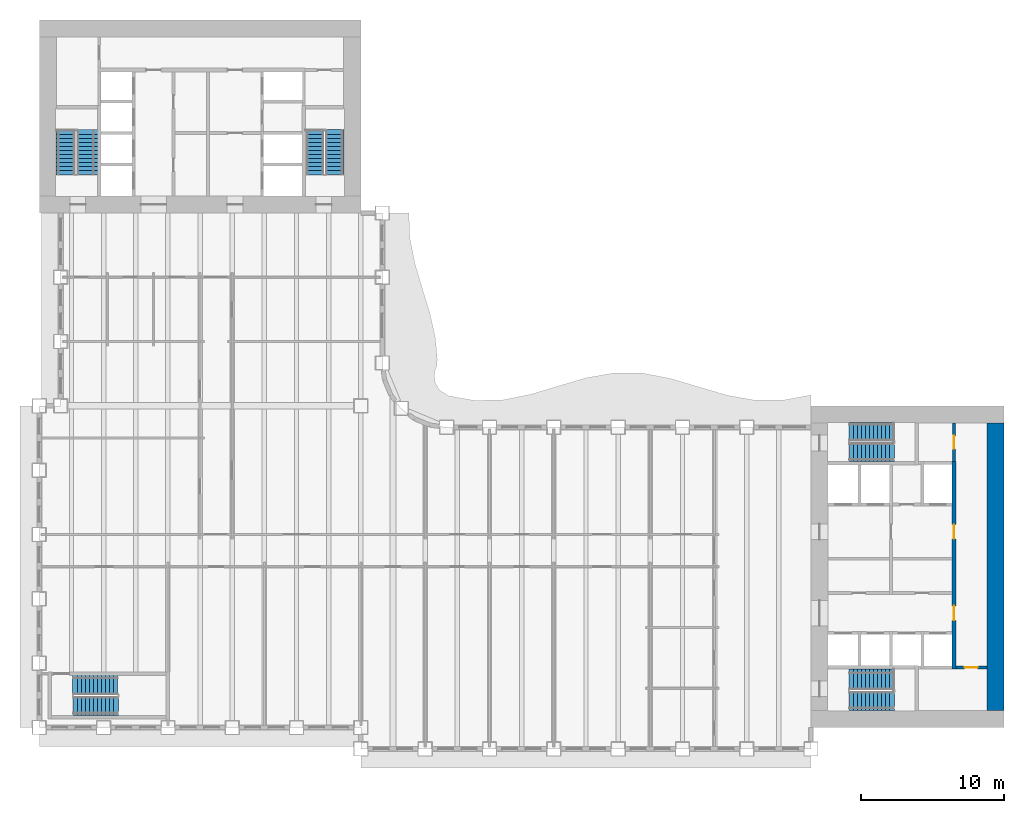
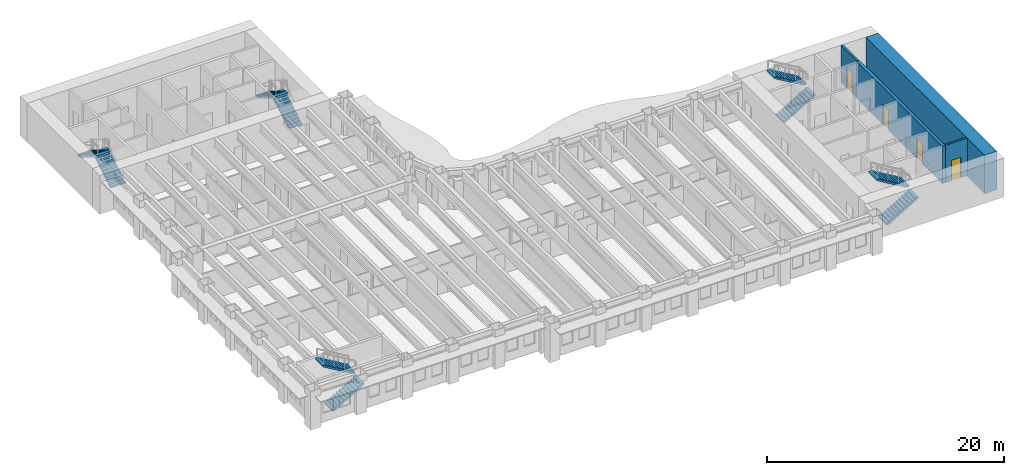
# One storey, part 10 of 16: 10 stair flights, 4 doors, 4 walls, 4 openings, 5 elements without a shape of their own.
"""IFC4 building model written with IfcOpenShell, lengths in metres."""

from ifc_helpers import new_model, si_unit, direction, frame, frame_2d, origin, place, context, subcontext, project, spatial, polyline, rectangle, outline, extrude, material, layer, layer_set, type_object, element, fill, aggregate, save


model = new_model("IFC4")

# Units and contexts
model_context = context("Model", 3, precision=1e-05, world=origin(), true_north=direction((0.0, 1.0)))
body_context = subcontext(model_context, "Body", "Model", "MODEL_VIEW")
ifc_project = project(units=[si_unit("LENGTHUNIT", "METRE"), si_unit("AREAUNIT", "SQUARE_METRE"), si_unit("VOLUMEUNIT", "CUBIC_METRE"), si_unit("PLANEANGLEUNIT", "RADIAN"), si_unit("MASSUNIT", "GRAM", prefix="KILO")], contexts=[model_context])

# Site, building, storey
site_placement = place(None, origin())
site = spatial("IfcSite", under=ifc_project, at=site_placement, CompositionType="ELEMENT")
building_placement = place(site_placement, origin())
building = spatial("IfcBuilding", under=site, at=building_placement, Name="Sennacour Bend Tower", CompositionType="ELEMENT")
storey_placement = place(building_placement, frame((0.0, 0.0, 83.0)))
storey = spatial("IfcBuildingStorey", under=building, at=storey_placement, Name="L18", CompositionType="ELEMENT", Elevation=83.0)

# Wall
ifc_material_1 = material(Name="Concrete C80/95", Category="concrete")
ifc_layer_1 = layer(ifc_material_1, 1.199951171875, Name="Concrete C80/95", Category="concrete")
ifc_layer_set_1 = layer_set([ifc_layer_1], Name="Concrete C80/95")
wall_type_1 = type_object("IfcWallType", Name="Core wall 1200 C80/95", PredefinedType="SHEAR", material=ifc_layer_set_1)
wall_1_placement = place(storey_placement, frame((66.89990234375, 1.199951171875, -0.14990234375), z_axis=(0.0, 0.0, 1.0), x_axis=(0.0, 1.0, 0.0)))
element("IfcWall", 1, at=wall_1_placement, inside=storey, type_object=wall_type_1, Name="Core A wall L18 E", PredefinedType="SHEAR", context=body_context, shape_type="SweptSolid", body=[
    extrude(rectangle(XDim=20.10009765625, YDim=1.199951171875, at=frame_2d((10.050048828125, 0.0))), origin(), (0.0, 0.0, 1.0), 4.0),
])

# Wall, opening, door
ifc_material_2 = material(Name="Fire-rated plasterboard partition on steel studs", Category="steel")
ifc_layer_2 = layer(ifc_material_2, 0.199951171875, Name="Fire-rated plasterboard partition on steel studs", Category="steel")
ifc_layer_set_2 = layer_set([ifc_layer_2], Name="Fire-rated plasterboard partition on steel studs")
wall_type_2 = type_object("IfcWallType", Name="Rated partition 200", PredefinedType="PARTITIONING", material=ifc_layer_set_2)
wall_2_placement = place(storey_placement, frame((64.0, 18.60009765625, 0.0), z_axis=(0.0, 0.0, 1.0), x_axis=(0.0, 1.0, 0.0)))
wall_2 = element("IfcWall", 2, at=wall_2_placement, inside=storey, type_object=wall_type_2, Name="P-L18-W046", PredefinedType="PARTITIONING", context=body_context, shape_type="SweptSolid", body=[
    extrude(rectangle(XDim=2.699951171875, YDim=0.199951171875, at=frame_2d((1.35009765625, 0.0))), origin(), (0.0, 0.0, 1.0), 3.85009765625),
])
opening_1_placement = place(wall_2_placement, frame((0.89990234375, 0.0, 0.0)))
opening_1 = element("IfcOpeningElement", 3, at=opening_1_placement, cuts=wall_2, Name="Opening SV", PredefinedType="OPENING", context=body_context, shape_type="SweptSolid", body=[
    extrude(rectangle(XDim=0.89990234375, YDim=2.10009765625, at=frame_2d((0.449951171875, 1.050048828125))), frame((0.0, 0.10986328125, 0.0), z_axis=(0.0, -1.0, 0.0), x_axis=(1.0, 0.0, 0.0)), (0.0, 0.0, 1.0), 0.219970703125),
])
ifc_material_3 = material(Name="Painted steel", Category="steel")
door_type_1 = type_object("IfcDoorType", Name="DR-SERVICE-900", OperationType="NOTDEFINED", PredefinedType="DOOR", material=ifc_material_3)
door_1_placement = place(opening_1_placement, origin())
door_1 = element("IfcDoor", 4, at=door_1_placement, inside=storey, type_object=door_type_1, Name="Door", OperationType="SINGLE_SWING_LEFT", OverallHeight=2.10009765625, OverallWidth=0.89990234375, PredefinedType="DOOR", context=body_context, shape_type="SweptSolid", body=[
    extrude(rectangle(XDim=0.89990234375, YDim=2.10009765625, at=frame_2d((0.449951171875, 1.050048828125))), frame((0.0, 0.02490234375, 0.0), z_axis=(0.0, -1.0, 0.0), x_axis=(1.0, 0.0, 0.0)), (0.0, 0.0, 1.0), 0.050048828125),
])
fill(opening_1, door_1)

wall_3_placement = place(storey_placement, frame((64.14990234375, 4.199951171875, 0.0), z_axis=(0.0, 0.0, 1.0), x_axis=(1.0, 0.0, 0.0)))
wall_3 = element("IfcWall", 5, at=wall_3_placement, inside=storey, type_object=wall_type_2, Name="P-L18-W054", PredefinedType="PARTITIONING", context=body_context, shape_type="SweptSolid", body=[
    extrude(rectangle(XDim=2.150146484375, YDim=0.199951171875, at=frame_2d((1.0751953125, 0.0))), origin(), (0.0, 0.0, 1.0), 3.85009765625),
])
opening_2_placement = place(wall_3_placement, frame((0.60009765625, 0.0, 0.0)))
opening_2 = element("IfcOpeningElement", 6, at=opening_2_placement, cuts=wall_3, Name="Opening SV", PredefinedType="OPENING", context=body_context, shape_type="SweptSolid", body=[
    extrude(rectangle(XDim=0.89990234375, YDim=2.10009765625, at=frame_2d((0.449951171875, 1.050048828125))), frame((0.0, 0.10986328125, 0.0), z_axis=(0.0, -1.0, 0.0), x_axis=(1.0, 0.0, 0.0)), (0.0, 0.0, 1.0), 0.219970703125),
])
door_2_placement = place(opening_2_placement, origin())
door_2 = element("IfcDoor", 7, at=door_2_placement, inside=storey, type_object=door_type_1, Name="Door", OperationType="SINGLE_SWING_LEFT", OverallHeight=2.10009765625, OverallWidth=0.89990234375, PredefinedType="DOOR", context=body_context, shape_type="SweptSolid", body=[
    extrude(rectangle(XDim=0.89990234375, YDim=2.10009765625, at=frame_2d((0.449951171875, 1.050048828125))), frame((0.0, 0.02490234375, 0.0), z_axis=(0.0, -1.0, 0.0), x_axis=(1.0, 0.0, 0.0)), (0.0, 0.0, 1.0), 0.050048828125),
])
fill(opening_2, door_2)

# Wall, openings, doors
ifc_material_4 = material(Name="Concrete C60/75", Category="concrete")
ifc_layer_3 = layer(ifc_material_4, 0.300048828125, Name="Concrete C60/75", Category="concrete")
ifc_layer_set_3 = layer_set([ifc_layer_3], Name="Concrete C60/75")
wall_type_3 = type_object("IfcWallType", Name="Spine wall 300", PredefinedType="SHEAR", material=ifc_layer_set_3)
wall_4_placement = place(storey_placement, frame((64.0, 4.10009765625, 0.0), z_axis=(0.0, 0.0, 1.0), x_axis=(0.0, 1.0, 0.0)))
wall_4 = element("IfcWall", 8, at=wall_4_placement, inside=storey, type_object=wall_type_3, Name="P-L18-W045", PredefinedType="SHEAR", context=body_context, shape_type="SweptSolid", body=[
    extrude(rectangle(XDim=14.5, YDim=0.300048828125, at=frame_2d((7.25, 0.0))), origin(), (0.0, 0.0, 1.0), 3.85009765625),
])
opening_3_placement = place(wall_4_placement, frame((3.39990234375, 0.0, 0.0)))
opening_3 = element("IfcOpeningElement", 9, at=opening_3_placement, cuts=wall_4, Name="Opening CD2", PredefinedType="OPENING", context=body_context, shape_type="SweptSolid", body=[
    extrude(rectangle(XDim=1.0, YDim=2.10009765625, at=frame_2d((0.5, 1.050048828125))), frame((0.0, 0.16015625, 0.0), z_axis=(0.0, -1.0, 0.0), x_axis=(1.0, 0.0, 0.0)), (0.0, 0.0, 1.0), 0.320068359375),
])
opening_4_placement = place(wall_4_placement, frame((9.099853515625, 0.0, 0.0)))
opening_4 = element("IfcOpeningElement", 10, at=opening_4_placement, cuts=wall_4, Name="Opening CD2", PredefinedType="OPENING", context=body_context, shape_type="SweptSolid", body=[
    extrude(rectangle(XDim=1.0, YDim=2.10009765625, at=frame_2d((0.5, 1.050048828125))), frame((0.0, 0.16015625, 0.0), z_axis=(0.0, -1.0, 0.0), x_axis=(1.0, 0.0, 0.0)), (0.0, 0.0, 1.0), 0.320068359375),
])
door_type_2 = type_object("IfcDoorType", Name="DR-LOBBY-1000", OperationType="NOTDEFINED", PredefinedType="DOOR", material=ifc_material_3)
door_3_placement = place(opening_3_placement, origin())
door_3 = element("IfcDoor", 11, at=door_3_placement, inside=storey, type_object=door_type_2, Name="Door", OperationType="SINGLE_SWING_LEFT", OverallHeight=2.10009765625, OverallWidth=1.0, PredefinedType="DOOR", context=body_context, shape_type="SweptSolid", body=[
    extrude(rectangle(XDim=1.0, YDim=2.10009765625, at=frame_2d((0.5, 1.050048828125))), frame((0.0, 0.02490234375, 0.0), z_axis=(0.0, -1.0, 0.0), x_axis=(1.0, 0.0, 0.0)), (0.0, 0.0, 1.0), 0.050048828125),
])
fill(opening_3, door_3)
door_4_placement = place(opening_4_placement, origin())
door_4 = element("IfcDoor", 12, at=door_4_placement, inside=storey, type_object=door_type_2, Name="Door", OperationType="SINGLE_SWING_RIGHT", OverallHeight=2.10009765625, OverallWidth=1.0, PredefinedType="DOOR", context=body_context, shape_type="SweptSolid", body=[
    extrude(rectangle(XDim=1.0, YDim=2.10009765625, at=frame_2d((0.5, 1.050048828125))), frame((0.0, 0.02490234375, 0.0), z_axis=(0.0, -1.0, 0.0), x_axis=(1.0, 0.0, 0.0)), (0.0, 0.0, 1.0), 0.050048828125),
])
fill(opening_4, door_4)

# Stair, stair flights
ifc_material_5 = material(Name="Concrete C40/50", Category="concrete")
stair_type = type_object("IfcStairType", Name="ST-DOGLEG", PredefinedType="HALF_TURN_STAIR", material=ifc_material_5)
stair_1_placement = place(storey_placement, origin())
stair_1 = element("IfcStair", 13, at=stair_1_placement, inside=storey, type_object=stair_type, Name="L18 Exit stair A1", PredefinedType="HALF_TURN_STAIR")
stair_flight_type = type_object("IfcStairFlightType", Name="SFL-RC", PredefinedType="STRAIGHT", material=ifc_material_5)
stair_flight_1_placement = place(storey_placement, frame((56.699951171875, 1.8349609375, 0.0), z_axis=(0.0, 0.0, 1.0), x_axis=(1.0, 0.0, 0.0)))
stair_flight_1 = element("IfcStairFlight", 14, at=stair_flight_1_placement, type_object=stair_flight_type, Name="SA1 flight 1", NumberOfRisers=12, NumberOfTreads=11, PredefinedType="STRAIGHT", RiserHeight=0.166666667, TreadLength=0.28, context=body_context, shape_type="SweptSolid", body=[
    extrude(outline(polyline([(0.0, 0.0), (0.0, 0.166748046875), (0.280029296875, 0.166748046875), (0.280029296875, 0.333251953125), (0.56005859375, 0.333251953125), (0.56005859375, 0.5), (0.840087890625, 0.5), (0.840087890625, 0.666748046875), (1.1201171875, 0.666748046875), (1.1201171875, 0.833251953125), (1.39990234375, 0.833251953125), (1.39990234375, 1.0), (1.679931640625, 1.0), (1.679931640625, 1.166748046875), (1.9599609375, 1.166748046875), (1.9599609375, 1.333251953125), (2.239990234375, 1.333251953125), (2.239990234375, 1.5), (2.52001953125, 1.5), (2.52001953125, 1.666748046875), (2.800048828125, 1.666748046875), (2.800048828125, 1.833251953125), (3.080078125, 1.833251953125), (3.139892578125, 1.833251953125), (3.139892578125, 1.658935546875), (3.080078125, 1.658935546875), (0.29296875, 0.0), (0.0, 0.0)])), frame((0.0, 0.6650390625, 0.0), z_axis=(0.0, -1.0, 0.0), x_axis=(1.0, 0.0, 0.0)), (0.0, 0.0, 1.0), 1.330078125),
])
stair_flight_2_placement = place(storey_placement, frame((59.780029296875, 3.37744140625, 2.0), z_axis=(0.0, 0.0, 1.0), x_axis=(-1.0, 0.0, 0.0)))
stair_flight_2 = element("IfcStairFlight", 15, at=stair_flight_2_placement, type_object=stair_flight_type, Name="SA1 flight 2", NumberOfRisers=12, NumberOfTreads=11, PredefinedType="STRAIGHT", RiserHeight=0.166666667, TreadLength=0.28, context=body_context, shape_type="SweptSolid", body=[
    extrude(outline(polyline([(0.0, 0.0), (0.0, 0.166748046875), (0.280029296875, 0.166748046875), (0.280029296875, 0.333251953125), (0.56005859375, 0.333251953125), (0.56005859375, 0.5), (0.840087890625, 0.5), (0.840087890625, 0.666748046875), (1.1201171875, 0.666748046875), (1.1201171875, 0.833251953125), (1.39990234375, 0.833251953125), (1.39990234375, 1.0), (1.679931640625, 1.0), (1.679931640625, 1.166748046875), (1.9599609375, 1.166748046875), (1.9599609375, 1.333251953125), (2.239990234375, 1.333251953125), (2.239990234375, 1.5), (2.52001953125, 1.5), (2.52001953125, 1.666748046875), (2.800048828125, 1.666748046875), (2.800048828125, 1.833251953125), (3.080078125, 1.833251953125), (3.139892578125, 1.833251953125), (3.139892578125, 1.658935546875), (3.080078125, 1.658935546875), (0.29296875, 0.0), (0.0, 0.0)])), frame((0.0, 0.7275390625, 0.0), z_axis=(0.0, -1.0, 0.0), x_axis=(1.0, 0.0, 0.0)), (0.0, 0.0, 1.0), 1.455078125),
])
aggregate(stair_1, [stair_flight_1, stair_flight_2])

stair_2_placement = place(storey_placement, origin())
stair_2 = element("IfcStair", 16, at=stair_2_placement, inside=storey, type_object=stair_type, Name="L18 Exit stair A2", PredefinedType="HALF_TURN_STAIR")
stair_flight_3_placement = place(storey_placement, frame((56.699951171875, 19.24755859375, 0.0), z_axis=(0.0, 0.0, 1.0), x_axis=(1.0, 0.0, 0.0)))
stair_flight_3 = element("IfcStairFlight", 17, at=stair_flight_3_placement, type_object=stair_flight_type, Name="SA2 flight 1", NumberOfRisers=12, NumberOfTreads=11, PredefinedType="STRAIGHT", RiserHeight=0.166666667, TreadLength=0.28, context=body_context, shape_type="SweptSolid", body=[
    extrude(outline(polyline([(0.0, 0.0), (0.0, 0.166748046875), (0.280029296875, 0.166748046875), (0.280029296875, 0.333251953125), (0.56005859375, 0.333251953125), (0.56005859375, 0.5), (0.840087890625, 0.5), (0.840087890625, 0.666748046875), (1.1201171875, 0.666748046875), (1.1201171875, 0.833251953125), (1.39990234375, 0.833251953125), (1.39990234375, 1.0), (1.679931640625, 1.0), (1.679931640625, 1.166748046875), (1.9599609375, 1.166748046875), (1.9599609375, 1.333251953125), (2.239990234375, 1.333251953125), (2.239990234375, 1.5), (2.52001953125, 1.5), (2.52001953125, 1.666748046875), (2.800048828125, 1.666748046875), (2.800048828125, 1.833251953125), (3.080078125, 1.833251953125), (3.139892578125, 1.833251953125), (3.139892578125, 1.658935546875), (3.080078125, 1.658935546875), (0.29296875, 0.0), (0.0, 0.0)])), frame((0.0, 0.65234375, 0.0), z_axis=(0.0, -1.0, 0.0), x_axis=(1.0, 0.0, 0.0)), (0.0, 0.0, 1.0), 1.304931640625),
])
stair_flight_4_placement = place(storey_placement, frame((59.780029296875, 20.68994140625, 2.0), z_axis=(0.0, 0.0, 1.0), x_axis=(-1.0, 0.0, 0.0)))
stair_flight_4 = element("IfcStairFlight", 18, at=stair_flight_4_placement, type_object=stair_flight_type, Name="SA2 flight 2", NumberOfRisers=12, NumberOfTreads=11, PredefinedType="STRAIGHT", RiserHeight=0.166666667, TreadLength=0.28, context=body_context, shape_type="SweptSolid", body=[
    extrude(outline(polyline([(0.0, 0.0), (0.0, 0.166748046875), (0.280029296875, 0.166748046875), (0.280029296875, 0.333251953125), (0.56005859375, 0.333251953125), (0.56005859375, 0.5), (0.840087890625, 0.5), (0.840087890625, 0.666748046875), (1.1201171875, 0.666748046875), (1.1201171875, 0.833251953125), (1.39990234375, 0.833251953125), (1.39990234375, 1.0), (1.679931640625, 1.0), (1.679931640625, 1.166748046875), (1.9599609375, 1.166748046875), (1.9599609375, 1.333251953125), (2.239990234375, 1.333251953125), (2.239990234375, 1.5), (2.52001953125, 1.5), (2.52001953125, 1.666748046875), (2.800048828125, 1.666748046875), (2.800048828125, 1.833251953125), (3.080078125, 1.833251953125), (3.139892578125, 1.833251953125), (3.139892578125, 1.658935546875), (3.080078125, 1.658935546875), (0.29296875, 0.0), (0.0, 0.0)])), frame((0.0, 0.64013671875, 0.0), z_axis=(0.0, -1.0, 0.0), x_axis=(1.0, 0.0, 0.0)), (0.0, 0.0, 1.0), 1.280029296875),
])
aggregate(stair_2, [stair_flight_3, stair_flight_4])

stair_3_placement = place(storey_placement, origin())
stair_3 = element("IfcStair", 19, at=stair_3_placement, inside=storey, type_object=stair_type, Name="L18 Exit stair B1", PredefinedType="HALF_TURN_STAIR")
stair_flight_5_placement = place(storey_placement, frame((3.37744140625, 38.699951171875, 0.0), z_axis=(0.0, 0.0, 1.0), x_axis=(0.0, 1.0, 0.0)))
stair_flight_5 = element("IfcStairFlight", 20, at=stair_flight_5_placement, type_object=stair_flight_type, Name="SB1 flight 1", NumberOfRisers=12, NumberOfTreads=11, PredefinedType="STRAIGHT", RiserHeight=0.166666667, TreadLength=0.28, context=body_context, shape_type="SweptSolid", body=[
    extrude(outline(polyline([(0.0, 0.0), (0.0, 0.166748046875), (0.280029296875, 0.166748046875), (0.280029296875, 0.333251953125), (0.56005859375, 0.333251953125), (0.56005859375, 0.5), (0.840087890625, 0.5), (0.840087890625, 0.666748046875), (1.1201171875, 0.666748046875), (1.1201171875, 0.833251953125), (1.39990234375, 0.833251953125), (1.39990234375, 1.0), (1.679931640625, 1.0), (1.679931640625, 1.166748046875), (1.9599609375, 1.166748046875), (1.9599609375, 1.333251953125), (2.239990234375, 1.333251953125), (2.239990234375, 1.5), (2.52001953125, 1.5), (2.52001953125, 1.666748046875), (2.800048828125, 1.666748046875), (2.800048828125, 1.833251953125), (3.080078125, 1.833251953125), (3.139892578125, 1.833251953125), (3.139892578125, 1.658935546875), (3.080078125, 1.658935546875), (0.29296875, 0.0), (0.0, 0.0)])), frame((0.0, 0.7275390625, 0.0), z_axis=(0.0, -1.0, 0.0), x_axis=(1.0, 0.0, 0.0)), (0.0, 0.0, 1.0), 1.455078125),
])
stair_flight_6_placement = place(storey_placement, frame((1.8349609375, 41.780029296875, 2.0), z_axis=(0.0, 0.0, 1.0), x_axis=(0.0, -1.0, 0.0)))
stair_flight_6 = element("IfcStairFlight", 21, at=stair_flight_6_placement, type_object=stair_flight_type, Name="SB1 flight 2", NumberOfRisers=12, NumberOfTreads=11, PredefinedType="STRAIGHT", RiserHeight=0.166666667, TreadLength=0.28, context=body_context, shape_type="SweptSolid", body=[
    extrude(outline(polyline([(0.0, 0.0), (0.0, 0.166748046875), (0.280029296875, 0.166748046875), (0.280029296875, 0.333251953125), (0.56005859375, 0.333251953125), (0.56005859375, 0.5), (0.840087890625, 0.5), (0.840087890625, 0.666748046875), (1.1201171875, 0.666748046875), (1.1201171875, 0.833251953125), (1.39990234375, 0.833251953125), (1.39990234375, 1.0), (1.679931640625, 1.0), (1.679931640625, 1.166748046875), (1.9599609375, 1.166748046875), (1.9599609375, 1.333251953125), (2.239990234375, 1.333251953125), (2.239990234375, 1.5), (2.52001953125, 1.5), (2.52001953125, 1.666748046875), (2.800048828125, 1.666748046875), (2.800048828125, 1.833251953125), (3.080078125, 1.833251953125), (3.139892578125, 1.833251953125), (3.139892578125, 1.658935546875), (3.080078125, 1.658935546875), (0.29296875, 0.0), (0.0, 0.0)])), frame((0.0, 0.6650390625, 0.0), z_axis=(0.0, -1.0, 0.0), x_axis=(1.0, 0.0, 0.0)), (0.0, 0.0, 1.0), 1.330078125),
])
aggregate(stair_3, [stair_flight_5, stair_flight_6])

stair_4_placement = place(storey_placement, origin())
stair_4 = element("IfcStair", 22, at=stair_4_placement, inside=storey, type_object=stair_type, Name="L18 Exit stair B2", PredefinedType="HALF_TURN_STAIR")
stair_flight_7_placement = place(storey_placement, frame((20.68994140625, 38.699951171875, 0.0), z_axis=(0.0, 0.0, 1.0), x_axis=(0.0, 1.0, 0.0)))
stair_flight_7 = element("IfcStairFlight", 23, at=stair_flight_7_placement, type_object=stair_flight_type, Name="SB2 flight 1", NumberOfRisers=12, NumberOfTreads=11, PredefinedType="STRAIGHT", RiserHeight=0.166666667, TreadLength=0.28, context=body_context, shape_type="SweptSolid", body=[
    extrude(outline(polyline([(0.0, 0.0), (0.0, 0.166748046875), (0.280029296875, 0.166748046875), (0.280029296875, 0.333251953125), (0.56005859375, 0.333251953125), (0.56005859375, 0.5), (0.840087890625, 0.5), (0.840087890625, 0.666748046875), (1.1201171875, 0.666748046875), (1.1201171875, 0.833251953125), (1.39990234375, 0.833251953125), (1.39990234375, 1.0), (1.679931640625, 1.0), (1.679931640625, 1.166748046875), (1.9599609375, 1.166748046875), (1.9599609375, 1.333251953125), (2.239990234375, 1.333251953125), (2.239990234375, 1.5), (2.52001953125, 1.5), (2.52001953125, 1.666748046875), (2.800048828125, 1.666748046875), (2.800048828125, 1.833251953125), (3.080078125, 1.833251953125), (3.139892578125, 1.833251953125), (3.139892578125, 1.658935546875), (3.080078125, 1.658935546875), (0.29296875, 0.0), (0.0, 0.0)])), frame((0.0, 0.64013671875, 0.0), z_axis=(0.0, -1.0, 0.0), x_axis=(1.0, 0.0, 0.0)), (0.0, 0.0, 1.0), 1.280029296875),
])
stair_flight_8_placement = place(storey_placement, frame((19.24755859375, 41.780029296875, 2.0), z_axis=(0.0, 0.0, 1.0), x_axis=(0.0, -1.0, 0.0)))
stair_flight_8 = element("IfcStairFlight", 24, at=stair_flight_8_placement, type_object=stair_flight_type, Name="SB2 flight 2", NumberOfRisers=12, NumberOfTreads=11, PredefinedType="STRAIGHT", RiserHeight=0.166666667, TreadLength=0.28, context=body_context, shape_type="SweptSolid", body=[
    extrude(outline(polyline([(0.0, 0.0), (0.0, 0.166748046875), (0.280029296875, 0.166748046875), (0.280029296875, 0.333251953125), (0.56005859375, 0.333251953125), (0.56005859375, 0.5), (0.840087890625, 0.5), (0.840087890625, 0.666748046875), (1.1201171875, 0.666748046875), (1.1201171875, 0.833251953125), (1.39990234375, 0.833251953125), (1.39990234375, 1.0), (1.679931640625, 1.0), (1.679931640625, 1.166748046875), (1.9599609375, 1.166748046875), (1.9599609375, 1.333251953125), (2.239990234375, 1.333251953125), (2.239990234375, 1.5), (2.52001953125, 1.5), (2.52001953125, 1.666748046875), (2.800048828125, 1.666748046875), (2.800048828125, 1.833251953125), (3.080078125, 1.833251953125), (3.139892578125, 1.833251953125), (3.139892578125, 1.658935546875), (3.080078125, 1.658935546875), (0.29296875, 0.0), (0.0, 0.0)])), frame((0.0, 0.65234375, 0.0), z_axis=(0.0, -1.0, 0.0), x_axis=(1.0, 0.0, 0.0)), (0.0, 0.0, 1.0), 1.304931640625),
])
aggregate(stair_4, [stair_flight_7, stair_flight_8])

stair_5_placement = place(storey_placement, origin())
stair_5 = element("IfcStair", 25, at=stair_5_placement, inside=storey, type_object=stair_type, Name="L18 Exit stair K1", PredefinedType="HALF_TURN_STAIR")
stair_flight_9_placement = place(storey_placement, frame((2.39990234375, 1.485107421875, 0.0), z_axis=(0.0, 0.0, 1.0), x_axis=(1.0, 0.0, 0.0)))
stair_flight_9 = element("IfcStairFlight", 26, at=stair_flight_9_placement, type_object=stair_flight_type, Name="SK1 flight 1", NumberOfRisers=12, NumberOfTreads=11, PredefinedType="STRAIGHT", RiserHeight=0.166666667, TreadLength=0.28, context=body_context, shape_type="SweptSolid", body=[
    extrude(outline(polyline([(0.0, 0.0), (0.0, 0.166748046875), (0.280029296875, 0.166748046875), (0.280029296875, 0.333251953125), (0.56005859375, 0.333251953125), (0.56005859375, 0.5), (0.840087890625, 0.5), (0.840087890625, 0.666748046875), (1.1201171875, 0.666748046875), (1.1201171875, 0.833251953125), (1.39990234375, 0.833251953125), (1.39990234375, 1.0), (1.679931640625, 1.0), (1.679931640625, 1.166748046875), (1.9599609375, 1.166748046875), (1.9599609375, 1.333251953125), (2.239990234375, 1.333251953125), (2.239990234375, 1.5), (2.52001953125, 1.5), (2.52001953125, 1.666748046875), (2.800048828125, 1.666748046875), (2.800048828125, 1.833251953125), (3.080078125, 1.833251953125), (3.139892578125, 1.833251953125), (3.139892578125, 1.658935546875), (3.080078125, 1.658935546875), (0.29296875, 0.0), (0.0, 0.0)])), frame((0.0, 0.6650390625, 0.0), z_axis=(0.0, -1.0, 0.0), x_axis=(1.0, 0.0, 0.0)), (0.0, 0.0, 1.0), 1.330078125),
])
stair_flight_10_placement = place(storey_placement, frame((5.47998046875, 2.9775390625, 2.0), z_axis=(0.0, 0.0, 1.0), x_axis=(-1.0, 0.0, 0.0)))
stair_flight_10 = element("IfcStairFlight", 27, at=stair_flight_10_placement, type_object=stair_flight_type, Name="SK1 flight 2", NumberOfRisers=12, NumberOfTreads=11, PredefinedType="STRAIGHT", RiserHeight=0.166666667, TreadLength=0.28, context=body_context, shape_type="SweptSolid", body=[
    extrude(outline(polyline([(0.0, 0.0), (0.0, 0.166748046875), (0.280029296875, 0.166748046875), (0.280029296875, 0.333251953125), (0.56005859375, 0.333251953125), (0.56005859375, 0.5), (0.840087890625, 0.5), (0.840087890625, 0.666748046875), (1.1201171875, 0.666748046875), (1.1201171875, 0.833251953125), (1.39990234375, 0.833251953125), (1.39990234375, 1.0), (1.679931640625, 1.0), (1.679931640625, 1.166748046875), (1.9599609375, 1.166748046875), (1.9599609375, 1.333251953125), (2.239990234375, 1.333251953125), (2.239990234375, 1.5), (2.52001953125, 1.5), (2.52001953125, 1.666748046875), (2.800048828125, 1.666748046875), (2.800048828125, 1.833251953125), (3.080078125, 1.833251953125), (3.139892578125, 1.833251953125), (3.139892578125, 1.658935546875), (3.080078125, 1.658935546875), (0.29296875, 0.0), (0.0, 0.0)])), frame((0.0, 0.677490234375, 0.0), z_axis=(0.0, -1.0, 0.0), x_axis=(1.0, 0.0, 0.0)), (0.0, 0.0, 1.0), 1.35498046875),
])
aggregate(stair_5, [stair_flight_9, stair_flight_10])

save(model, "model.ifc")
